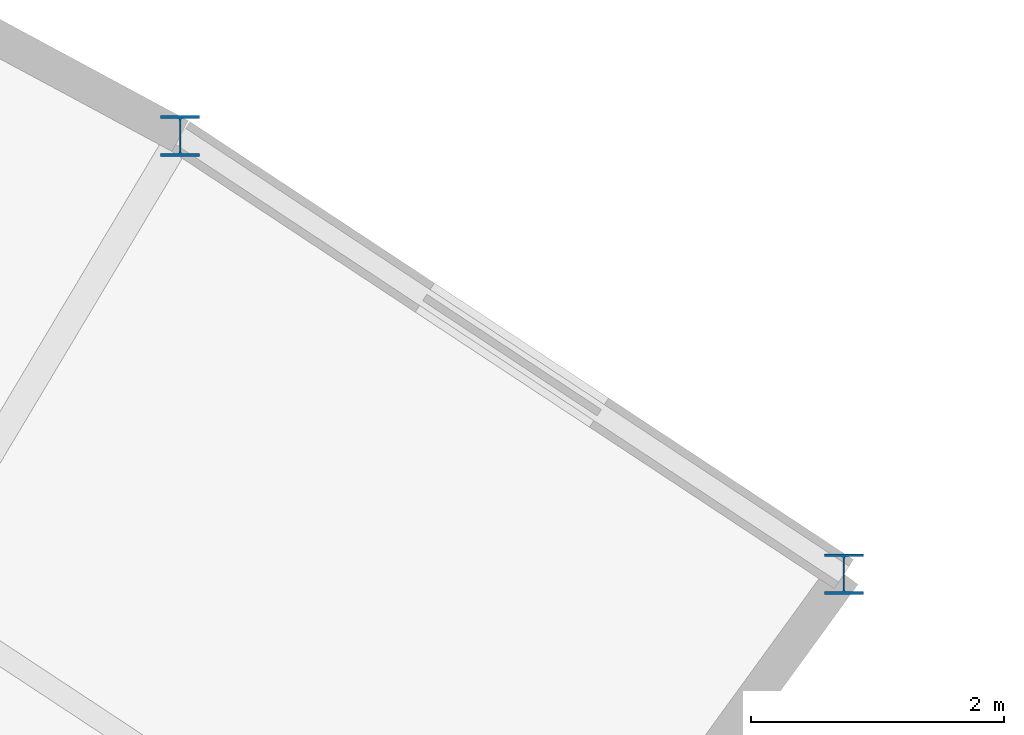
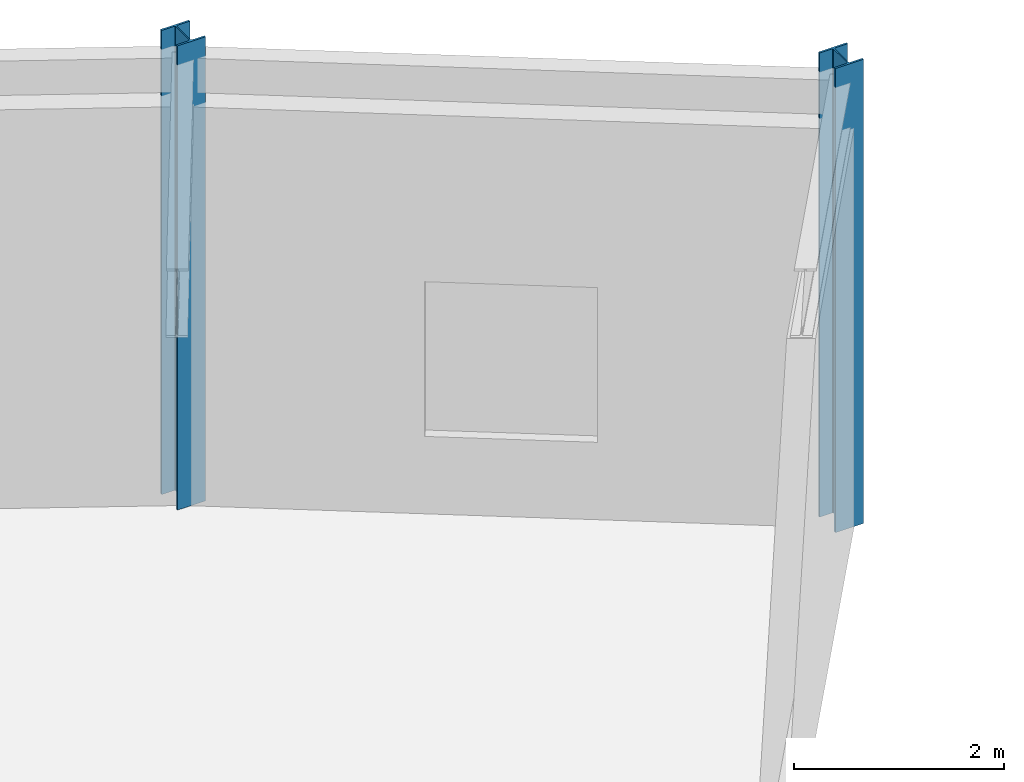
# One storey, part 18 of 87: 2 columns.
"""IFC4 building model written with IfcOpenShell, lengths in metres."""

import ifcopenshell
import ifcopenshell.guid

model = None  # the IFC model being written
_history = None  # IfcOwnerHistory: only IFC2X3 demands one
_inside = {}  # id of a spatial element -> (the spatial element, [elements in it])
_under = {}  # id of a project, library or spatial element -> (it, [spatial elements below it])
_declared = {}  # id of a project -> (the project, [libraries it declares])
_typed = {}  # id of a type object -> (the type object, [elements of that type])
_made_of = {}  # id of a material, layer set ... -> (it, [elements and type objects made of it])


def new_model(schema):
    """Start an empty IFC model of exactly this schema.

    Asked for "IFC4X3", IfcOpenShell would pick the latest addendum, in which some entities
    have other attributes; the version numbers below select the first issue.
    IFC2X3 requires an IfcOwnerHistory on every rooted entity: one is made here for all.
    """
    global model, _history
    if schema == "IFC4X3":
        model = ifcopenshell.file(schema_version=(4, 3, 0, 0))
    else:
        model = ifcopenshell.file(schema=schema)
    _inside.clear()
    _under.clear()
    _declared.clear()
    _typed.clear()
    _made_of.clear()
    _history = None
    if model.schema == "IFC2X3":
        org = make("IfcOrganization", Name="unknown")
        user = make(
            "IfcPersonAndOrganization",
            ThePerson=make("IfcPerson", FamilyName="unknown"),
            TheOrganization=org,
        )
        app = make(
            "IfcApplication",
            ApplicationDeveloper=org,
            Version="unknown",
            ApplicationFullName="unknown",
            ApplicationIdentifier="unknown",
        )
        _history = make(
            "IfcOwnerHistory",
            OwningUser=user,
            OwningApplication=app,
            ChangeAction="ADDED",
            CreationDate=0,
        )
    return model


def make(cls, **values):
    """One entity of the class cls with the attributes given. An attribute that is None is left unset."""
    return model.create_entity(
        cls, **{name: value for name, value in values.items() if value is not None}
    )


def rooted(cls, **values):
    """An entity with a GlobalId (a new one), such as an element, a storey or a relation."""
    return make(cls, GlobalId=ifcopenshell.guid.new(), OwnerHistory=_history, **values)


def si_unit(unit_type, name, prefix=None):
    """IfcSIUnit, for example si_unit("LENGTHUNIT", "METRE", prefix="MILLI")."""
    return make("IfcSIUnit", UnitType=unit_type, Prefix=prefix, Name=name)


def assignment(units):
    """IfcUnitAssignment: the units of a project."""
    return None if units is None else make("IfcUnitAssignment", Units=units)


def point(xyz):
    """IfcCartesianPoint."""
    return None if xyz is None else make("IfcCartesianPoint", Coordinates=xyz)


def direction(xyz):
    """IfcDirection."""
    return None if xyz is None else make("IfcDirection", DirectionRatios=xyz)


def frame(location, z_axis=None, x_axis=None):
    """IfcAxis2Placement3D, a coordinate frame: its origin and axes. An axis left out is left unset."""
    return make(
        "IfcAxis2Placement3D",
        Location=point(location),
        Axis=direction(z_axis),
        RefDirection=direction(x_axis),
    )


def frame_2d(location, x_axis=None):
    """IfcAxis2Placement2D, a coordinate frame in the plane: its origin and x axis."""
    return make(
        "IfcAxis2Placement2D", Location=point(location), RefDirection=direction(x_axis)
    )


def origin():
    """The frame at (0, 0, 0) with its axes left unset."""
    return frame((0.0, 0.0, 0.0))


def origin_2d():
    """The frame at (0, 0) in the plane with its x axis left unset."""
    return frame_2d((0.0, 0.0))


def place(relative_to, where):
    """IfcLocalPlacement: puts the frame where relative to a parent placement (None: the world)."""
    return make(
        "IfcLocalPlacement", PlacementRelTo=relative_to, RelativePlacement=where
    )


def context(
    kind, dimensions, precision=None, world=None, true_north=None, identifier=None
):
    """IfcGeometricRepresentationContext, for example the 3D "Model" context."""
    return make(
        "IfcGeometricRepresentationContext",
        ContextIdentifier=identifier,
        ContextType=kind,
        CoordinateSpaceDimension=dimensions,
        Precision=precision,
        WorldCoordinateSystem=world,
        TrueNorth=true_north,
    )


def subcontext(parent, identifier, kind, view, scale=None):
    """IfcGeometricRepresentationSubContext, for example "Body" below "Model"."""
    return make(
        "IfcGeometricRepresentationSubContext",
        ContextIdentifier=identifier,
        ContextType=kind,
        ParentContext=parent,
        TargetScale=scale,
        TargetView=view,
    )


def project(units=None, contexts=None):
    """IfcProject with its units and contexts."""
    return rooted(
        "IfcProject",
        Name="project",
        RepresentationContexts=contexts,
        UnitsInContext=assignment(units),
    )


def spatial(cls, under=None, at=None, **own):
    """A site, building, storey or space (cls), placed at a placement, below another one or the project."""
    s = rooted(cls, ObjectPlacement=at, **own)
    if under is not None:
        _under.setdefault(under.id(), (under, []))[1].append(s)
    return s


def profile(cls, at=None, kind="AREA", **sizes):
    """A parametric profile (cls). Its sizes go by their IFC names, for example OverallWidth=200.0."""
    return make(cls, ProfileType=kind, Position=at, **sizes)


def i_section(**sizes):
    """IfcIShapeProfileDef."""
    return profile("IfcIShapeProfileDef", **sizes)


def extrude(swept, where, along, depth):
    """IfcExtrudedAreaSolid: the profile swept, set in the frame where, extruded along a direction by depth."""
    return make(
        "IfcExtrudedAreaSolid",
        SweptArea=swept,
        Position=where,
        ExtrudedDirection=direction(along),
        Depth=depth,
    )


def shape(context_of_items, identifier, shape_type, items):
    """IfcShapeRepresentation: the items that make up one representation, for example the "Body"."""
    return make(
        "IfcShapeRepresentation",
        ContextOfItems=context_of_items,
        RepresentationIdentifier=identifier,
        RepresentationType=shape_type,
        Items=items,
    )


def material(Name=None, Category=None):
    """IfcMaterial."""
    return make("IfcMaterial", Name=Name, Category=Category)


def material_profile(
    of_material, cross_section, Name=None, Category=None, Priority=None
):
    """IfcMaterialProfile: a cross section and its material."""
    return make(
        "IfcMaterialProfile",
        Name=Name,
        Material=of_material,
        Profile=cross_section,
        Priority=Priority,
        Category=Category,
    )


def profile_set(profiles, Name=None, composite=None):
    """IfcMaterialProfileSet."""
    return make(
        "IfcMaterialProfileSet",
        Name=Name,
        MaterialProfiles=profiles,
        CompositeProfile=composite,
    )


def made_of(thing, what):
    """Note that an element or type object is made of a material, layer set ...; save() writes the relation."""
    if what is not None:
        _made_of.setdefault(what.id(), (what, []))[1].append(thing)
    return thing


def type_object(cls, material=None, **own):
    """A type object (cls), such as IfcWallType, which elements share."""
    return made_of(rooted(cls, **own), material)


def element(
    cls,
    number,
    at=None,
    inside=None,
    cuts=None,
    type_object=None,
    material=None,
    context=None,
    identifier="Body",
    shape_type=None,
    held_by="IfcProductDefinitionShape",
    body=None,
    shapes=None,
    **own,
):
    """One element of the class cls, such as IfcWall. Its Tag is "e" and its number.

    at: its placement. inside: the storey or other place that contains it. cuts: it is an
    opening in that element (IfcRelVoidsElement). A single representation is given by context,
    identifier, shape_type and body (its items); several are given by shapes. held_by: the class
    of the entity that holds the representations. save() writes the other relations.
    """
    e = rooted(cls, Tag="e%d" % number, ObjectPlacement=at, **own)
    if body is not None:
        shapes = [shape(context, identifier, shape_type, body)]
    if shapes is not None:
        e.Representation = make(held_by, Representations=shapes)
    if inside is not None:
        _inside.setdefault(inside.id(), (inside, []))[1].append(e)
    if cuts is not None:
        rooted(
            "IfcRelVoidsElement", RelatingBuildingElement=cuts, RelatedOpeningElement=e
        )
    if type_object is not None:
        _typed.setdefault(type_object.id(), (type_object, []))[1].append(e)
    return made_of(e, material)


def aggregate(whole, parts):
    """IfcRelAggregates: a whole, such as a stair, and the parts it consists of."""
    return rooted("IfcRelAggregates", RelatingObject=whole, RelatedObjects=parts)


def save(model, path):
    """Write the relations noted so far, then the file.

    IfcRelAggregates (storeys below a building ...), IfcRelContainedInSpatialStructure (elements
    in a storey), IfcRelDefinesByType, IfcRelAssociatesMaterial and IfcRelDeclares: one each for
    every whole, place, type object, material and project.
    """
    for whole, parts in _under.values():
        aggregate(whole, parts)
    for where, things in _inside.values():
        rooted(
            "IfcRelContainedInSpatialStructure",
            RelatedElements=things,
            RelatingStructure=where,
        )
    for kind, things in _typed.values():
        rooted("IfcRelDefinesByType", RelatedObjects=things, RelatingType=kind)
    for what, things in _made_of.values():
        rooted("IfcRelAssociatesMaterial", RelatedObjects=things, RelatingMaterial=what)
    for by, libraries in _declared.values():
        rooted("IfcRelDeclares", RelatingContext=by, RelatedDefinitions=libraries)
    model.write(path)


model = new_model("IFC4")

# Units and contexts
model_context = context("Model", 3, precision=1e-05, world=origin(), true_north=direction((0.0, 1.0)))
body_context = subcontext(model_context, "Body", "Model", "MODEL_VIEW")
ifc_project = project(units=[si_unit("LENGTHUNIT", "METRE"), si_unit("AREAUNIT", "SQUARE_METRE"), si_unit("VOLUMEUNIT", "CUBIC_METRE"), si_unit("PLANEANGLEUNIT", "RADIAN"), si_unit("MASSUNIT", "GRAM", prefix="KILO")], contexts=[model_context])

# Site, building, storey
site_placement = place(None, origin())
site = spatial("IfcSite", under=ifc_project, at=site_placement, CompositionType="ELEMENT")
building_placement = place(site_placement, origin())
building = spatial("IfcBuilding", under=site, at=building_placement, Name="Selat Folded Stagehouse", CompositionType="ELEMENT")
storey_placement = place(building_placement, origin())
storey = spatial("IfcBuildingStorey", under=building, at=storey_placement, Name="L00", CompositionType="ELEMENT", Elevation=0.0)

# Columns
ifc_material = material(Name="Steel S355", Category="steel")
ifc_material_profile = material_profile(ifc_material, i_section(OverallWidth=0.30908203125, OverallDepth=0.320556640625, WebThickness=0.013916015625, FlangeThickness=0.021728515625, FilletRadius=0.01513671875, at=origin_2d()), Name="UKC 305x305x137")
ifc_profile_set = profile_set([ifc_material_profile], Name="Steel S355")
column_type = type_object("IfcColumnType", Name="COL-UKC-305x305x137", PredefinedType="COLUMN", material=ifc_profile_set)
for number, where, z_axis, x_axis, name in (
    (1, (128.302978515625, 98.09130859375, 0.0), (0.0, 0.0, 1.0), (1.0, 0.0, 0.0), "L00 column STK-V6OUT-13"),
    (2, (133.544921875, 94.631103515625, 0.0), (0.0, 0.0, 1.0), (1.0, 0.0, 0.0), "L00 column STK-V6OUT-14"),
):
    element("IfcColumn", number, at=place(storey_placement, frame(where, z_axis=z_axis, x_axis=x_axis)), inside=storey, type_object=column_type, Name=name, PredefinedType="COLUMN", context=body_context, shape_type="SweptSolid", body=[
        extrude(i_section(OverallWidth=0.30908203125, OverallDepth=0.320556640625, WebThickness=0.013916015625, FlangeThickness=0.021728515625, FilletRadius=0.01513671875, at=origin_2d()), origin(), (0.0, 0.0, 1.0), 5.39990234375),
    ])

save(model, "model.ifc")
